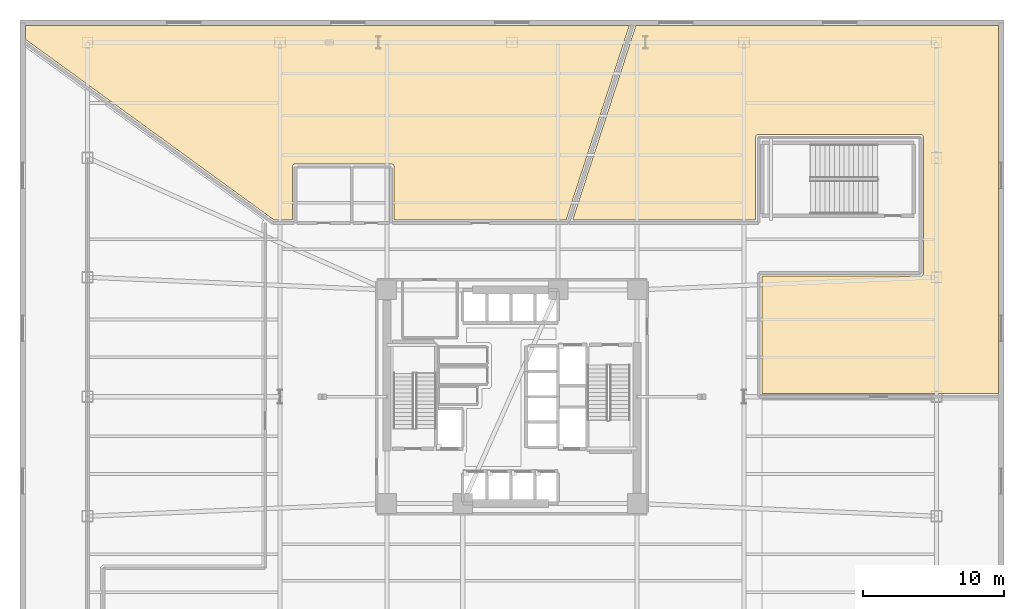
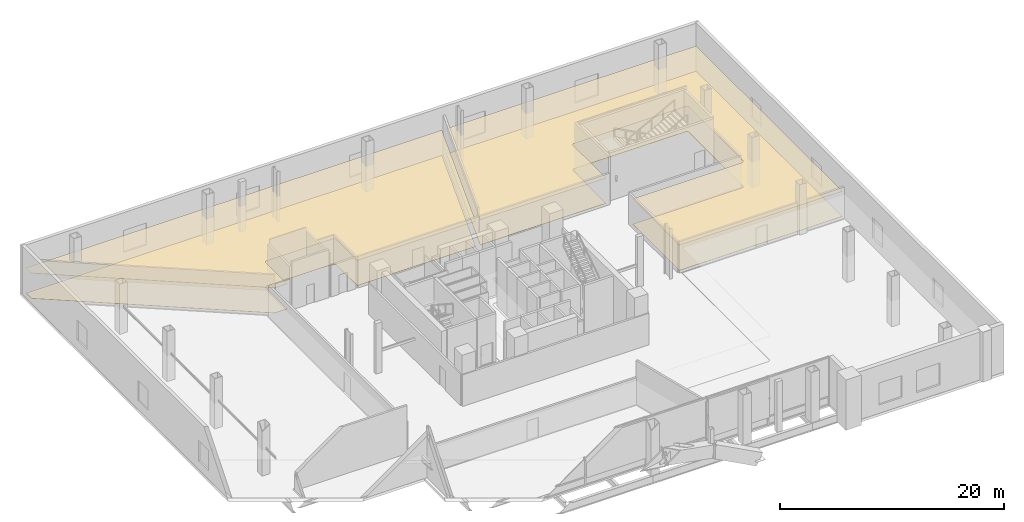
# One storey, part 18 of 19: 4 coverings.
"""IFC4 building model written with IfcOpenShell, lengths in metres."""

from ifc_helpers import new_model, si_unit, direction, frame, origin, place, context, subcontext, project, spatial, polyline, outline, extrude, material, layer, layer_set, type_object, element, save


model = new_model("IFC4")

# Units and contexts
model_context = context("Model", 3, precision=1e-05, world=origin(), true_north=direction((0.0, 1.0)))
body_context = subcontext(model_context, "Body", "Model", "MODEL_VIEW")
ifc_project = project(units=[si_unit("LENGTHUNIT", "METRE"), si_unit("AREAUNIT", "SQUARE_METRE"), si_unit("VOLUMEUNIT", "CUBIC_METRE"), si_unit("PLANEANGLEUNIT", "RADIAN"), si_unit("MASSUNIT", "GRAM", prefix="KILO")], contexts=[model_context])

# Site, building, storey
site_placement = place(None, origin())
site = spatial("IfcSite", under=ifc_project, at=site_placement, CompositionType="ELEMENT")
building_placement = place(site_placement, origin())
building = spatial("IfcBuilding", under=site, at=building_placement, Name="Tharavind Bronze Gate", CompositionType="ELEMENT")
storey_placement = place(building_placement, frame((0.0, 0.0, 11.0)))
storey = spatial("IfcBuildingStorey", under=building, at=storey_placement, Name="L02", CompositionType="ELEMENT", Elevation=11.0)

# Coverings
ifc_material_1 = material(Name="Perforated Bronze Acoustic Panel", Category="bronze")
ifc_layer_1 = layer(ifc_material_1, 0.044921875)
ifc_layer_set_1 = layer_set([ifc_layer_1], Name="Perforated Bronze Acoustic Panel")
covering_type_1 = type_object("IfcCoveringType", Name="ACOUSTIC BRONZE BAFFLE CEILING", PredefinedType="CEILING", material=ifc_layer_set_1)
covering_1_placement = place(storey_placement, frame((0.0, 0.0, 2.75)))
element("IfcCovering", 1, at=covering_1_placement, inside=storey, type_object=covering_type_1, Name="L02-PD-01 suspended ceiling", PredefinedType="CEILING", context=body_context, shape_type="SweptSolid", body=[
    extrude(outline(polyline([(17.330078125, 12.570068359375), (17.330078125, 18.449462890625), (17.330322265625, 18.460205078125), (17.330322265625, 18.460693359375), (17.33251953125, 18.482421875), (17.336669921875, 18.50341796875), (17.343017578125, 18.524169921875), (17.351318359375, 18.5439453125), (17.361328125, 18.56298828125), (17.373291015625, 18.5810546875), (17.386962890625, 18.59765625), (17.40234375, 18.613037109375), (17.4189453125, 18.626708984375), (17.43701171875, 18.638671875), (17.4560546875, 18.648681640625), (17.475830078125, 18.656982421875), (17.49658203125, 18.663330078125), (17.517578125, 18.66748046875), (17.539306640625, 18.669677734375), (17.539794921875, 18.669677734375), (17.550537109375, 18.669921875), (29.04931640625, 18.669921875), (29.060302734375, 18.669677734375), (29.060791015625, 18.669677734375), (29.082275390625, 18.66748046875), (29.103515625, 18.663330078125), (29.1240234375, 18.656982421875), (29.14404296875, 18.648681640625), (29.1630859375, 18.638671875), (29.180908203125, 18.626708984375), (29.19775390625, 18.613037109375), (29.212890625, 18.59765625), (29.226806640625, 18.5810546875), (29.23876953125, 18.56298828125), (29.248779296875, 18.5439453125), (29.257080078125, 18.524169921875), (29.263427734375, 18.50341796875), (29.267578125, 18.482421875), (29.269775390625, 18.460693359375), (29.269775390625, 18.460205078125), (29.27001953125, 18.449462890625), (29.27001953125, 8.800537109375), (29.269775390625, 8.789794921875), (29.269775390625, 8.789306640625), (29.267578125, 8.767578125), (29.263427734375, 8.74658203125), (29.257080078125, 8.725830078125), (29.248779296875, 8.7060546875), (29.23876953125, 8.68701171875), (29.226806640625, 8.6689453125), (29.212890625, 8.65234375), (29.19775390625, 8.636962890625), (29.180908203125, 8.623291015625), (29.1630859375, 8.611328125), (29.14404296875, 8.601318359375), (29.1240234375, 8.593017578125), (29.103515625, 8.586669921875), (29.082275390625, 8.58251953125), (29.060791015625, 8.580322265625), (29.060302734375, 8.580322265625), (29.04931640625, 8.580078125), (17.77001953125, 8.580078125), (17.77001953125, 0.219970703125), (34.60009765625, 0.219970703125), (34.60009765625, 26.39990234375), (8.80908203125, 26.39990234375), (4.315673828125, 12.570068359375), (17.330078125, 12.570068359375)])), origin(), (0.0, 0.0, 1.0), 0.034912109375),
])
covering_2_placement = place(storey_placement, frame((0.0, 0.0, 2.75)))
element("IfcCovering", 2, at=covering_2_placement, inside=storey, type_object=covering_type_1, Name="L02-PD-02 suspended ceiling", PredefinedType="CEILING", context=body_context, shape_type="SweptSolid", body=[
    extrude(outline(polyline([(-34.60009765625, 25.410400390625), (-16.9267578125, 12.570068359375), (-15.6201171875, 12.570068359375), (-15.6201171875, 16.349365234375), (-15.61962890625, 16.360107421875), (-15.61962890625, 16.36083984375), (-15.61767578125, 16.38232421875), (-15.61328125, 16.4033203125), (-15.607177734375, 16.424072265625), (-15.598876953125, 16.444091796875), (-15.588623046875, 16.463134765625), (-15.57666015625, 16.48095703125), (-15.56298828125, 16.497802734375), (-15.547607421875, 16.512939453125), (-15.531005859375, 16.526611328125), (-15.51318359375, 16.538818359375), (-15.493896484375, 16.548828125), (-15.47412109375, 16.55712890625), (-15.453369140625, 16.5634765625), (-15.432373046875, 16.567626953125), (-15.410888671875, 16.569580078125), (-15.41015625, 16.569580078125), (-15.3994140625, 16.570068359375), (-8.6005859375, 16.570068359375), (-8.58984375, 16.569580078125), (-8.589111328125, 16.569580078125), (-8.567626953125, 16.567626953125), (-8.546630859375, 16.5634765625), (-8.52587890625, 16.55712890625), (-8.506103515625, 16.548828125), (-8.48681640625, 16.538818359375), (-8.468994140625, 16.526611328125), (-8.452392578125, 16.512939453125), (-8.43701171875, 16.497802734375), (-8.42333984375, 16.48095703125), (-8.411376953125, 16.463134765625), (-8.401123046875, 16.444091796875), (-8.392822265625, 16.424072265625), (-8.38671875, 16.4033203125), (-8.38232421875, 16.38232421875), (-8.38037109375, 16.36083984375), (-8.38037109375, 16.360107421875), (-8.3798828125, 16.349365234375), (-8.3798828125, 12.570068359375), (3.852783203125, 12.570068359375), (8.3466796875, 26.39990234375), (-34.60009765625, 26.39990234375), (-34.60009765625, 25.410400390625)])), origin(), (0.0, 0.0, 1.0), 0.034912109375),
])
ifc_material_2 = material(Name="Engineered Oak & Carpet Tile", Category="wood")
ifc_layer_2 = layer(ifc_material_2, 0.02490234375)
ifc_layer_set_2 = layer_set([ifc_layer_2], Name="Engineered Oak & Carpet Tile")
covering_type_2 = type_object("IfcCoveringType", Name="ENGINEERED TIMBER FLOORING", PredefinedType="FLOORING", material=ifc_layer_set_2)
covering_3_placement = place(storey_placement, origin())
element("IfcCovering", 3, at=covering_3_placement, inside=storey, type_object=covering_type_2, Name="L02-PD-02 floor finish", PredefinedType="FLOORING", context=body_context, shape_type="SweptSolid", body=[
    extrude(outline(polyline([(-34.60009765625, 25.410400390625), (-16.9267578125, 12.570068359375), (-15.6201171875, 12.570068359375), (-15.6201171875, 16.349365234375), (-15.61962890625, 16.360107421875), (-15.61962890625, 16.36083984375), (-15.61767578125, 16.38232421875), (-15.61328125, 16.4033203125), (-15.607177734375, 16.424072265625), (-15.598876953125, 16.444091796875), (-15.588623046875, 16.463134765625), (-15.57666015625, 16.48095703125), (-15.56298828125, 16.497802734375), (-15.547607421875, 16.512939453125), (-15.531005859375, 16.526611328125), (-15.51318359375, 16.538818359375), (-15.493896484375, 16.548828125), (-15.47412109375, 16.55712890625), (-15.453369140625, 16.5634765625), (-15.432373046875, 16.567626953125), (-15.410888671875, 16.569580078125), (-15.41015625, 16.569580078125), (-15.3994140625, 16.570068359375), (-8.6005859375, 16.570068359375), (-8.58984375, 16.569580078125), (-8.589111328125, 16.569580078125), (-8.567626953125, 16.567626953125), (-8.546630859375, 16.5634765625), (-8.52587890625, 16.55712890625), (-8.506103515625, 16.548828125), (-8.48681640625, 16.538818359375), (-8.468994140625, 16.526611328125), (-8.452392578125, 16.512939453125), (-8.43701171875, 16.497802734375), (-8.42333984375, 16.48095703125), (-8.411376953125, 16.463134765625), (-8.401123046875, 16.444091796875), (-8.392822265625, 16.424072265625), (-8.38671875, 16.4033203125), (-8.38232421875, 16.38232421875), (-8.38037109375, 16.36083984375), (-8.38037109375, 16.360107421875), (-8.3798828125, 16.349365234375), (-8.3798828125, 12.570068359375), (3.852783203125, 12.570068359375), (8.3466796875, 26.39990234375), (-34.60009765625, 26.39990234375), (-34.60009765625, 25.410400390625)])), origin(), (0.0, 0.0, 1.0), 0.02490234375),
])
ifc_material_3 = material(Name="Honed Travertine Limestone", Category="masonry")
ifc_layer_3 = layer(ifc_material_3, 0.030029296875)
ifc_layer_set_3 = layer_set([ifc_layer_3], Name="Honed Travertine Limestone")
covering_type_3 = type_object("IfcCoveringType", Name="HONED LIMESTONE FLOORING", PredefinedType="FLOORING", material=ifc_layer_set_3)
covering_4_placement = place(storey_placement, origin())
element("IfcCovering", 4, at=covering_4_placement, inside=storey, type_object=covering_type_3, Name="L02-PD-01 floor finish", PredefinedType="FLOORING", context=body_context, shape_type="SweptSolid", body=[
    extrude(outline(polyline([(17.330078125, 12.570068359375), (17.330078125, 18.449462890625), (17.330322265625, 18.460205078125), (17.330322265625, 18.460693359375), (17.33251953125, 18.482421875), (17.336669921875, 18.50341796875), (17.343017578125, 18.524169921875), (17.351318359375, 18.5439453125), (17.361328125, 18.56298828125), (17.373291015625, 18.5810546875), (17.386962890625, 18.59765625), (17.40234375, 18.613037109375), (17.4189453125, 18.626708984375), (17.43701171875, 18.638671875), (17.4560546875, 18.648681640625), (17.475830078125, 18.656982421875), (17.49658203125, 18.663330078125), (17.517578125, 18.66748046875), (17.539306640625, 18.669677734375), (17.539794921875, 18.669677734375), (17.550537109375, 18.669921875), (29.04931640625, 18.669921875), (29.060302734375, 18.669677734375), (29.060791015625, 18.669677734375), (29.082275390625, 18.66748046875), (29.103515625, 18.663330078125), (29.1240234375, 18.656982421875), (29.14404296875, 18.648681640625), (29.1630859375, 18.638671875), (29.180908203125, 18.626708984375), (29.19775390625, 18.613037109375), (29.212890625, 18.59765625), (29.226806640625, 18.5810546875), (29.23876953125, 18.56298828125), (29.248779296875, 18.5439453125), (29.257080078125, 18.524169921875), (29.263427734375, 18.50341796875), (29.267578125, 18.482421875), (29.269775390625, 18.460693359375), (29.269775390625, 18.460205078125), (29.27001953125, 18.449462890625), (29.27001953125, 8.800537109375), (29.269775390625, 8.789794921875), (29.269775390625, 8.789306640625), (29.267578125, 8.767578125), (29.263427734375, 8.74658203125), (29.257080078125, 8.725830078125), (29.248779296875, 8.7060546875), (29.23876953125, 8.68701171875), (29.226806640625, 8.6689453125), (29.212890625, 8.65234375), (29.19775390625, 8.636962890625), (29.180908203125, 8.623291015625), (29.1630859375, 8.611328125), (29.14404296875, 8.601318359375), (29.1240234375, 8.593017578125), (29.103515625, 8.586669921875), (29.082275390625, 8.58251953125), (29.060791015625, 8.580322265625), (29.060302734375, 8.580322265625), (29.04931640625, 8.580078125), (17.77001953125, 8.580078125), (17.77001953125, 0.219970703125), (34.60009765625, 0.219970703125), (34.60009765625, 26.39990234375), (8.80908203125, 26.39990234375), (4.315673828125, 12.570068359375), (17.330078125, 12.570068359375)])), origin(), (0.0, 0.0, 1.0), 0.02490234375),
])

save(model, "model.ifc")
